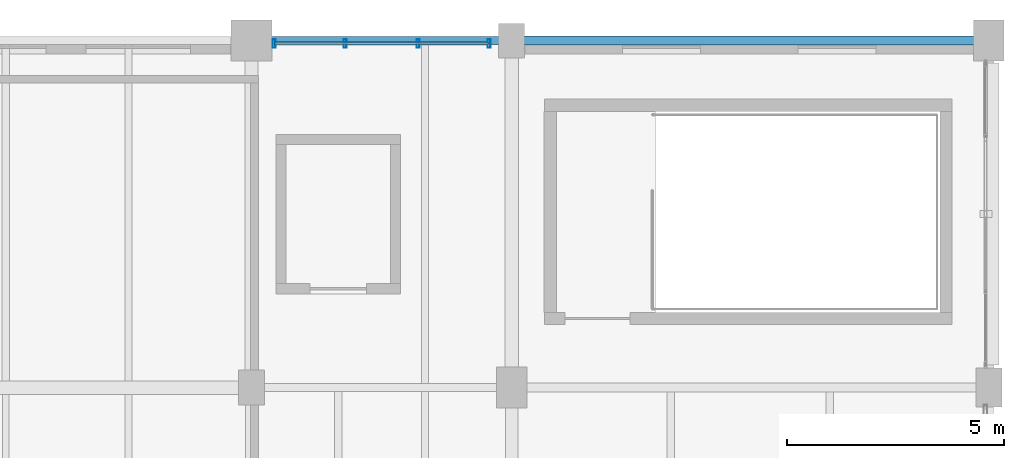
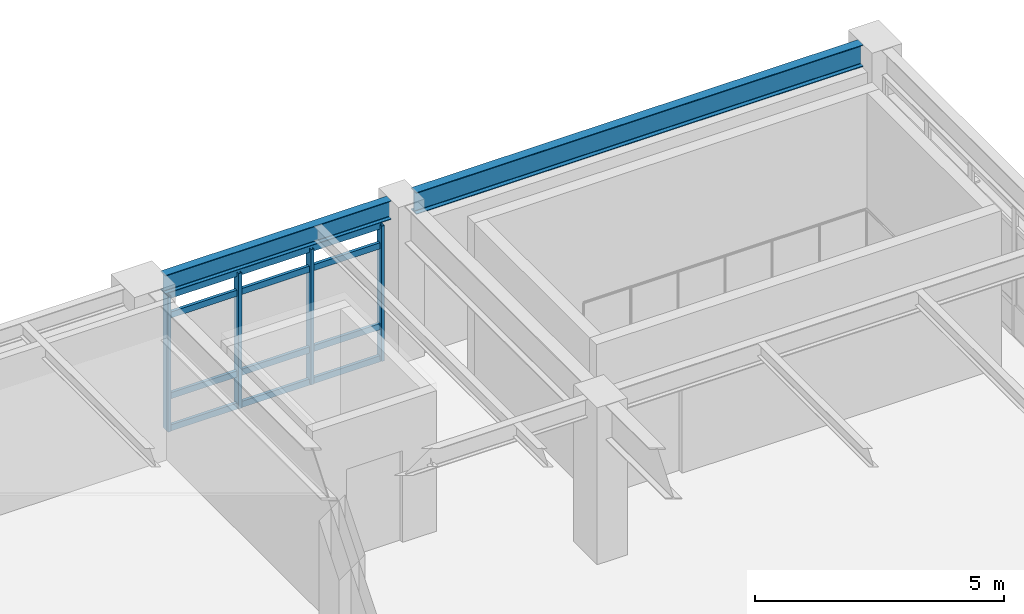
# One storey, part 18 of 26: 8 members, 2 beams, 1 element without a shape of its own.
"""IFC4 building model written with IfcOpenShell, lengths in metres."""

from ifc_helpers import new_model, si_unit, direction, frame, origin, origin_2d, place, context, subcontext, project, spatial, hollow_rectangle, i_section, extrude, material, material_profile, profile_set, type_object, element, aggregate, save


model = new_model("IFC4")

# Units and contexts
model_context = context("Model", 3, precision=1e-05, world=origin(), true_north=direction((0.0, 1.0)))
body_context = subcontext(model_context, "Body", "Model", "MODEL_VIEW")
ifc_project = project(units=[si_unit("LENGTHUNIT", "METRE"), si_unit("AREAUNIT", "SQUARE_METRE"), si_unit("VOLUMEUNIT", "CUBIC_METRE"), si_unit("PLANEANGLEUNIT", "RADIAN"), si_unit("MASSUNIT", "GRAM", prefix="KILO"), si_unit("THERMODYNAMICTEMPERATUREUNIT", "KELVIN"), si_unit("POWERUNIT", "WATT")], contexts=[model_context])

# Site, building, storey
site_placement = place(None, origin())
site = spatial("IfcSite", under=ifc_project, at=site_placement, CompositionType="ELEMENT")
building_placement = place(site_placement, origin())
building = spatial("IfcBuilding", under=site, at=building_placement, Name="Tepalcoro Natatorium and Aquatics Centre", CompositionType="ELEMENT")
storey_placement = place(building_placement, frame((0.0, 0.0, 19.0)))
storey = spatial("IfcBuildingStorey", under=building, at=storey_placement, Name="L04", CompositionType="ELEMENT", Elevation=19.0)

# Curtain wall, members
ifc_material_1 = material(Name="Bronze-Anodised Extruded Aluminium Alloy EN AW-6063 T6", Category="aluminium")
curtain_wall_type = type_object("IfcCurtainWallType", Name="CW_V2_DIVING", PredefinedType="USERDEFINED", material=ifc_material_1)
curtain_wall_placement = place(storey_placement, origin())
curtain_wall = element("IfcCurtainWall", 1, at=curtain_wall_placement, inside=storey, type_object=curtain_wall_type, Name="V5 L04 N Unitised Curtain Wall Bay 6", ObjectType="FACETED SOLAR GLAZING", PredefinedType="USERDEFINED")
ifc_material_profile_1 = material_profile(ifc_material_1, hollow_rectangle(XDim=0.070068359375, YDim=0.199951171875, WallThickness=0.0048828125, at=origin_2d()), Name="AL70X200X5")
ifc_profile_set_1 = profile_set([ifc_material_profile_1], Name="Bronze-Anodised Extruded Aluminium Alloy EN AW-6063 T6")
member_type_1 = type_object("IfcMemberType", Name="CW_MUL_70x200", PredefinedType="MULLION", material=ifc_profile_set_1)
member_1_placement = place(storey_placement, frame((159.52001953125, 117.93505859375, 0.02001953125), z_axis=(0.0, 0.0, 1.0), x_axis=(1.0, 0.0, 0.0)))
member_1 = element("IfcMember", 2, at=member_1_placement, type_object=member_type_1, Name="CW_V2_DIVING Curtain Wall Mullion", PredefinedType="MULLION", context=body_context, shape_type="SweptSolid", body=[
    extrude(hollow_rectangle(XDim=0.070068359375, YDim=0.199951171875, WallThickness=0.0048828125, at=origin_2d()), origin(), (0.0, 0.0, 1.0), 3.320068359375),
])
member_2_placement = place(storey_placement, frame((161.159912109375, 117.93505859375, 0.02001953125), z_axis=(0.0, 0.0, 1.0), x_axis=(1.0, 0.0, 0.0)))
member_2 = element("IfcMember", 3, at=member_2_placement, type_object=member_type_1, Name="CW_V2_DIVING Curtain Wall Mullion", PredefinedType="MULLION", context=body_context, shape_type="SweptSolid", body=[
    extrude(hollow_rectangle(XDim=0.070068359375, YDim=0.199951171875, WallThickness=0.0048828125, at=origin_2d()), origin(), (0.0, 0.0, 1.0), 3.320068359375),
])
member_3_placement = place(storey_placement, frame((162.840087890625, 117.93505859375, 0.02001953125), z_axis=(0.0, 0.0, 1.0), x_axis=(1.0, 0.0, 0.0)))
member_3 = element("IfcMember", 4, at=member_3_placement, type_object=member_type_1, Name="CW_V2_DIVING Curtain Wall Mullion", PredefinedType="MULLION", context=body_context, shape_type="SweptSolid", body=[
    extrude(hollow_rectangle(XDim=0.070068359375, YDim=0.199951171875, WallThickness=0.0048828125, at=origin_2d()), origin(), (0.0, 0.0, 1.0), 3.320068359375),
])
member_4_placement = place(storey_placement, frame((164.47998046875, 117.93505859375, 0.02001953125), z_axis=(0.0, 0.0, 1.0), x_axis=(1.0, 0.0, 0.0)))
member_4 = element("IfcMember", 5, at=member_4_placement, type_object=member_type_1, Name="CW_V2_DIVING Curtain Wall Mullion", PredefinedType="MULLION", context=body_context, shape_type="SweptSolid", body=[
    extrude(hollow_rectangle(XDim=0.070068359375, YDim=0.199951171875, WallThickness=0.0048828125, at=origin_2d()), origin(), (0.0, 0.0, 1.0), 3.320068359375),
])
ifc_material_profile_2 = material_profile(ifc_material_1, hollow_rectangle(XDim=0.070068359375, YDim=0.14990234375, WallThickness=0.00390625, at=origin_2d()), Name="AL70X150X4")
ifc_profile_set_2 = profile_set([ifc_material_profile_2], Name="Bronze-Anodised Extruded Aluminium Alloy EN AW-6063 T6")
member_type_2 = type_object("IfcMemberType", Name="CW_TRN_70x150", PredefinedType="USERDEFINED", material=ifc_profile_set_2)
member_5_placement = place(storey_placement, frame((159.530029296875, 117.93505859375, 0.050048828125), z_axis=(1.0, 0.0, 0.0), x_axis=(0.0, 1.0, 0.0)))
member_5 = element("IfcMember", 6, at=member_5_placement, type_object=member_type_2, Name="CW_V2_DIVING Curtain Wall Transom", ObjectType="TRANSOM", PredefinedType="USERDEFINED", context=body_context, shape_type="SweptSolid", body=[
    extrude(hollow_rectangle(XDim=0.070068359375, YDim=0.14990234375, WallThickness=0.00390625, at=origin_2d()), origin(), (0.0, 0.0, 1.0), 4.93994140625),
])
member_6_placement = place(storey_placement, frame((159.530029296875, 117.93505859375, 0.840087890625), z_axis=(1.0, 0.0, 0.0), x_axis=(0.0, 1.0, 0.0)))
member_6 = element("IfcMember", 7, at=member_6_placement, type_object=member_type_2, Name="CW_V2_DIVING Curtain Wall Transom", ObjectType="TRANSOM", PredefinedType="USERDEFINED", context=body_context, shape_type="SweptSolid", body=[
    extrude(hollow_rectangle(XDim=0.070068359375, YDim=0.14990234375, WallThickness=0.00390625, at=origin_2d()), origin(), (0.0, 0.0, 1.0), 4.93994140625),
])
member_7_placement = place(storey_placement, frame((159.530029296875, 117.93505859375, 2.822509765625), z_axis=(1.0, 0.0, 0.0), x_axis=(0.0, 1.0, 0.0)))
member_7 = element("IfcMember", 8, at=member_7_placement, type_object=member_type_2, Name="CW_V2_DIVING Curtain Wall Transom", ObjectType="TRANSOM", PredefinedType="USERDEFINED", context=body_context, shape_type="SweptSolid", body=[
    extrude(hollow_rectangle(XDim=0.070068359375, YDim=0.14990234375, WallThickness=0.00390625, at=origin_2d()), origin(), (0.0, 0.0, 1.0), 4.93994140625),
])
member_8_placement = place(storey_placement, frame((159.530029296875, 117.93505859375, 3.31005859375), z_axis=(1.0, 0.0, 0.0), x_axis=(0.0, 1.0, 0.0)))
member_8 = element("IfcMember", 9, at=member_8_placement, type_object=member_type_2, Name="CW_V2_DIVING Curtain Wall Transom", ObjectType="TRANSOM", PredefinedType="USERDEFINED", context=body_context, shape_type="SweptSolid", body=[
    extrude(hollow_rectangle(XDim=0.070068359375, YDim=0.14990234375, WallThickness=0.00390625, at=origin_2d()), origin(), (0.0, 0.0, 1.0), 4.93994140625),
])
aggregate(curtain_wall, [member_1, member_2, member_3, member_4, member_5, member_6, member_7, member_8])

# Beams
ifc_material_2 = material(Name="Steel ASTM A992 Grade 50 (Fy 345 MPa)", Category="steel")
ifc_material_profile_3 = material_profile(ifc_material_2, i_section(OverallWidth=0.19091796875, OverallDepth=0.4599609375, WebThickness=0.010009765625, FlangeThickness=0.01611328125, FilletRadius=0.013916015625, at=origin_2d()), Name="W18X55")
ifc_profile_set_3 = profile_set([ifc_material_profile_3], Name="Steel ASTM A992 Grade 50 (Fy 345 MPa)")
beam_type_1 = type_object("IfcBeamType", Name="SP_W18x55", PredefinedType="SPANDREL", material=ifc_profile_set_3)
beam_1_placement = place(storey_placement, frame((159.4599609375, 118.0, 3.60498046875), z_axis=(1.0, 0.0, 0.0), x_axis=(0.0, 1.0, 0.0)))
element("IfcBeam", 10, at=beam_1_placement, inside=storey, type_object=beam_type_1, Name="V5 L04 Grid Girder X", PredefinedType="SPANDREL", context=body_context, shape_type="SweptSolid", body=[
    extrude(i_section(OverallWidth=0.19091796875, OverallDepth=0.4599609375, WebThickness=0.010009765625, FlangeThickness=0.01611328125, FilletRadius=0.013916015625, at=origin_2d()), origin(), (0.0, 0.0, 1.0), 5.255126953125),
])
ifc_material_profile_4 = material_profile(ifc_material_2, i_section(OverallWidth=0.2099609375, OverallDepth=0.535888671875, WebThickness=0.010986328125, FlangeThickness=0.01708984375, FilletRadius=0.013916015625, at=origin_2d()), Name="W21X68")
ifc_profile_set_4 = profile_set([ifc_material_profile_4], Name="Steel ASTM A992 Grade 50 (Fy 345 MPa)")
beam_type_2 = type_object("IfcBeamType", Name="SP_W21x68", PredefinedType="SPANDREL", material=ifc_profile_set_4)
beam_2_placement = place(storey_placement, frame((165.284912109375, 118.0, 3.56689453125), z_axis=(1.0, 0.0, 0.0), x_axis=(0.0, 1.0, 0.0)))
element("IfcBeam", 11, at=beam_2_placement, inside=storey, type_object=beam_type_2, Name="V5 L04 Grid Girder X", PredefinedType="SPANDREL", context=body_context, shape_type="SweptSolid", body=[
    extrude(i_section(OverallWidth=0.2099609375, OverallDepth=0.535888671875, WebThickness=0.010986328125, FlangeThickness=0.01708984375, FilletRadius=0.013916015625, at=origin_2d()), origin(), (0.0, 0.0, 1.0), 10.380126953125),
])

save(model, "model.ifc")
